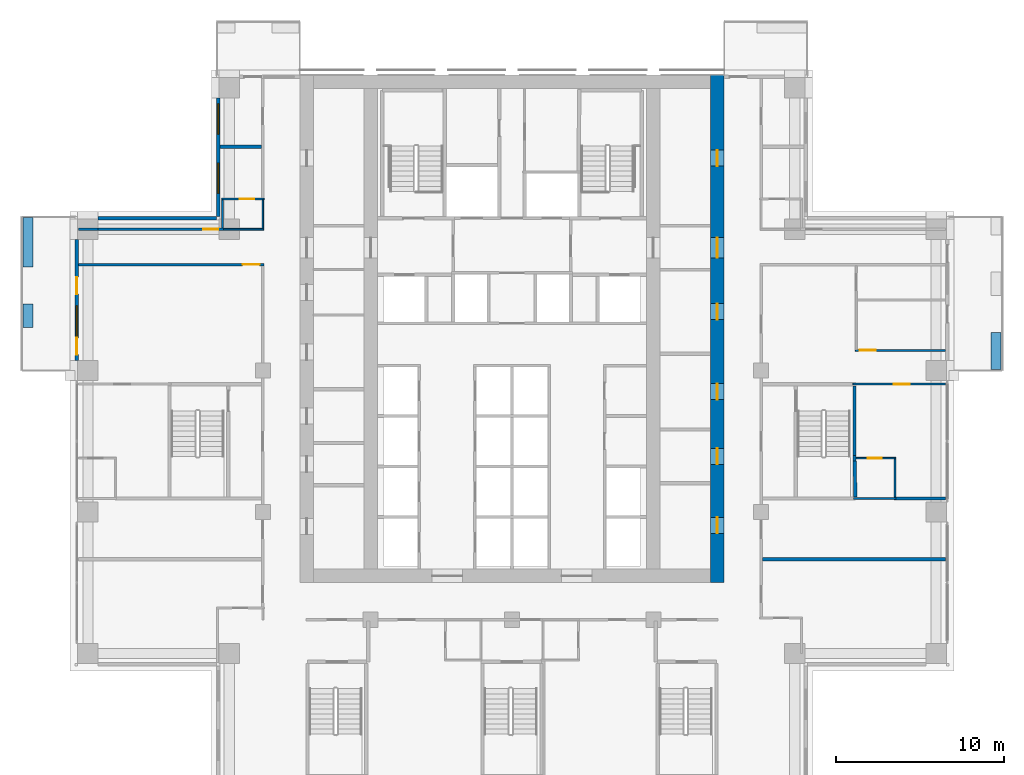
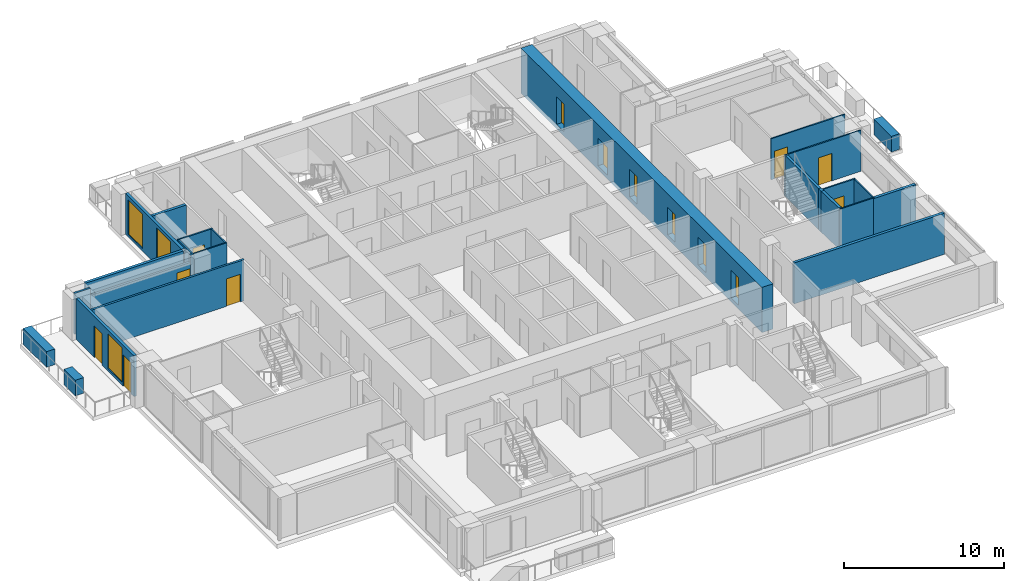
# One storey, part 10 of 17: 26 walls, 14 doors, 3 windows, 17 openings.
"""IFC4 building model written with IfcOpenShell, lengths in metres."""

from ifc_helpers import new_model, si_unit, direction, frame, frame_2d, origin, place, context, subcontext, project, spatial, rectangle, extrude, material, layer, layer_set, type_object, element, fill, save


model = new_model("IFC4")

# Units and contexts
model_context = context("Model", 3, precision=1e-05, world=origin(), true_north=direction((0.0, 1.0)))
body_context = subcontext(model_context, "Body", "Model", "MODEL_VIEW")
ifc_project = project(units=[si_unit("LENGTHUNIT", "METRE"), si_unit("AREAUNIT", "SQUARE_METRE"), si_unit("VOLUMEUNIT", "CUBIC_METRE"), si_unit("PLANEANGLEUNIT", "RADIAN"), si_unit("MASSUNIT", "GRAM", prefix="KILO")], contexts=[model_context])

# Site, building, storey
site_placement = place(None, origin())
site = spatial("IfcSite", under=ifc_project, at=site_placement, CompositionType="ELEMENT")
building_placement = place(site_placement, origin())
building = spatial("IfcBuilding", under=site, at=building_placement, Name="Vermilion Ogive Tower", CompositionType="ELEMENT")
storey_placement = place(building_placement, frame((0.0, 0.0, 87.300048828125)))
storey = spatial("IfcBuildingStorey", under=building, at=storey_placement, Name="L21", CompositionType="ELEMENT", Elevation=87.300048828125)

# Wall, openings, doors
ifc_material_1 = material(Name="Concrete B80", Category="concrete")
ifc_layer_1 = layer(ifc_material_1, 0.800048828125)
ifc_layer_set_1 = layer_set([ifc_layer_1], Name="Core wall 800 B80")
wall_type_1 = type_object("IfcWallType", Name="Core wall 800 B80", PredefinedType="SHEAR", material=ifc_layer_set_1)
wall_1_placement = place(storey_placement, frame((12.199951171875, -8.39990234375, -0.320068359375), z_axis=(0.0, 0.0, 1.0), x_axis=(0.0, 1.0, 0.0)))
wall_1 = element("IfcWall", 1, at=wall_1_placement, inside=storey, type_object=wall_type_1, Name="L21-CORE-E", PredefinedType="SHEAR", context=body_context, shape_type="SweptSolid", body=[
    extrude(rectangle(XDim=30.14990234375, YDim=0.800048828125, at=frame_2d((15.074951171875, 0.0))), origin(), (0.0, 0.0, 1.0), 3.449951171875),
])
opening_1_placement = place(wall_1_placement, frame((2.925048828125, 0.0, 0.320068359375)))
opening_1 = element("IfcOpeningElement", 2, at=opening_1_placement, cuts=wall_1, Name="Opening DAC034", PredefinedType="OPENING", context=body_context, shape_type="SweptSolid", body=[
    extrude(rectangle(XDim=0.949951171875, YDim=2.10009765625, at=frame_2d((0.47509765625, 1.050048828125))), frame((0.0, 0.409912109375, 0.0), z_axis=(0.0, -1.0, 0.0), x_axis=(1.0, 0.0, 0.0)), (0.0, 0.0, 1.0), 0.820068359375),
])
opening_2_placement = place(wall_1_placement, frame((7.02490234375, 0.0, 0.320068359375)))
opening_2 = element("IfcOpeningElement", 3, at=opening_2_placement, cuts=wall_1, Name="Opening DAC035", PredefinedType="OPENING", context=body_context, shape_type="SweptSolid", body=[
    extrude(rectangle(XDim=0.949951171875, YDim=2.10009765625, at=frame_2d((0.47509765625, 1.050048828125))), frame((0.0, 0.409912109375, 0.0), z_axis=(0.0, -1.0, 0.0), x_axis=(1.0, 0.0, 0.0)), (0.0, 0.0, 1.0), 0.820068359375),
])
opening_3_placement = place(wall_1_placement, frame((10.875, 0.0, 0.320068359375)))
opening_3 = element("IfcOpeningElement", 4, at=opening_3_placement, cuts=wall_1, Name="Opening DAC036", PredefinedType="OPENING", context=body_context, shape_type="SweptSolid", body=[
    extrude(rectangle(XDim=0.949951171875, YDim=2.10009765625, at=frame_2d((0.47509765625, 1.050048828125))), frame((0.0, 0.409912109375, 0.0), z_axis=(0.0, -1.0, 0.0), x_axis=(1.0, 0.0, 0.0)), (0.0, 0.0, 1.0), 0.820068359375),
])
opening_4_placement = place(wall_1_placement, frame((15.625, 0.0, 0.320068359375)))
opening_4 = element("IfcOpeningElement", 5, at=opening_4_placement, cuts=wall_1, Name="Opening DAC037", PredefinedType="OPENING", context=body_context, shape_type="SweptSolid", body=[
    extrude(rectangle(XDim=0.949951171875, YDim=2.10009765625, at=frame_2d((0.47509765625, 1.050048828125))), frame((0.0, 0.409912109375, 0.0), z_axis=(0.0, -1.0, 0.0), x_axis=(1.0, 0.0, 0.0)), (0.0, 0.0, 1.0), 0.820068359375),
])
opening_5_placement = place(wall_1_placement, frame((24.75, 0.0, 0.320068359375)))
opening_5 = element("IfcOpeningElement", 6, at=opening_5_placement, cuts=wall_1, Name="Opening DAC038", PredefinedType="OPENING", context=body_context, shape_type="SweptSolid", body=[
    extrude(rectangle(XDim=0.949951171875, YDim=2.10009765625, at=frame_2d((0.47509765625, 1.050048828125))), frame((0.0, 0.409912109375, 0.0), z_axis=(0.0, -1.0, 0.0), x_axis=(1.0, 0.0, 0.0)), (0.0, 0.0, 1.0), 0.820068359375),
])
opening_6_placement = place(wall_1_placement, frame((19.300048828125, 0.0, 0.320068359375)))
opening_6 = element("IfcOpeningElement", 7, at=opening_6_placement, cuts=wall_1, Name="Opening DAL007", PredefinedType="OPENING", context=body_context, shape_type="SweptSolid", body=[
    extrude(rectangle(XDim=1.199951171875, YDim=2.10009765625, at=frame_2d((0.60009765625, 1.050048828125))), frame((0.0, 0.409912109375, 0.0), z_axis=(0.0, -1.0, 0.0), x_axis=(1.0, 0.0, 0.0)), (0.0, 0.0, 1.0), 0.820068359375),
])
ifc_material_2 = material(Name="Timber door leaf", Category="wood")
door_type_1 = type_object("IfcDoorType", Name="Link door 1200 x 2100 FD60S", OperationType="SINGLE_SWING_LEFT", PredefinedType="DOOR", material=ifc_material_2)
door_1_placement = place(opening_6_placement, origin())
door_1 = element("IfcDoor", 8, at=door_1_placement, inside=storey, type_object=door_type_1, Name="L21-CKE-XL", OperationType="SINGLE_SWING_LEFT", OverallHeight=2.10009765625, OverallWidth=1.199951171875, PredefinedType="DOOR", context=body_context, shape_type="SweptSolid", body=[
    extrude(rectangle(XDim=1.199951171875, YDim=2.10009765625, at=frame_2d((0.60009765625, 1.050048828125))), frame((0.0, 0.02490234375, 0.0), z_axis=(0.0, -1.0, 0.0), x_axis=(1.0, 0.0, 0.0)), (0.0, 0.0, 1.0), 0.050048828125),
])
fill(opening_6, door_1)
ifc_material_3 = material(Name="Timber door leaf", Category="wood")
door_type_2 = type_object("IfcDoorType", Name="Service door 950 x 2100 FD60", OperationType="SINGLE_SWING_LEFT", PredefinedType="DOOR", material=ifc_material_3)
door_2_placement = place(opening_1_placement, origin())
door_2 = element("IfcDoor", 9, at=door_2_placement, inside=storey, type_object=door_type_2, Name="L21-CKE-XR0", OperationType="SINGLE_SWING_LEFT", OverallHeight=2.10009765625, OverallWidth=0.949951171875, PredefinedType="DOOR", context=body_context, shape_type="SweptSolid", body=[
    extrude(rectangle(XDim=0.949951171875, YDim=2.10009765625, at=frame_2d((0.47509765625, 1.050048828125))), frame((0.0, 0.02490234375, 0.0), z_axis=(0.0, -1.0, 0.0), x_axis=(1.0, 0.0, 0.0)), (0.0, 0.0, 1.0), 0.050048828125),
])
fill(opening_1, door_2)
door_3_placement = place(opening_2_placement, origin())
door_3 = element("IfcDoor", 10, at=door_3_placement, inside=storey, type_object=door_type_2, Name="L21-CKE-XR1", OperationType="SINGLE_SWING_LEFT", OverallHeight=2.10009765625, OverallWidth=0.949951171875, PredefinedType="DOOR", context=body_context, shape_type="SweptSolid", body=[
    extrude(rectangle(XDim=0.949951171875, YDim=2.10009765625, at=frame_2d((0.47509765625, 1.050048828125))), frame((0.0, 0.02490234375, 0.0), z_axis=(0.0, -1.0, 0.0), x_axis=(1.0, 0.0, 0.0)), (0.0, 0.0, 1.0), 0.050048828125),
])
fill(opening_2, door_3)
door_4_placement = place(opening_3_placement, origin())
door_4 = element("IfcDoor", 11, at=door_4_placement, inside=storey, type_object=door_type_2, Name="L21-CKE-XR2", OperationType="SINGLE_SWING_LEFT", OverallHeight=2.10009765625, OverallWidth=0.949951171875, PredefinedType="DOOR", context=body_context, shape_type="SweptSolid", body=[
    extrude(rectangle(XDim=0.949951171875, YDim=2.10009765625, at=frame_2d((0.47509765625, 1.050048828125))), frame((0.0, 0.02490234375, 0.0), z_axis=(0.0, -1.0, 0.0), x_axis=(1.0, 0.0, 0.0)), (0.0, 0.0, 1.0), 0.050048828125),
])
fill(opening_3, door_4)
door_5_placement = place(opening_4_placement, origin())
door_5 = element("IfcDoor", 12, at=door_5_placement, inside=storey, type_object=door_type_2, Name="L21-CKE-XR3", OperationType="SINGLE_SWING_LEFT", OverallHeight=2.10009765625, OverallWidth=0.949951171875, PredefinedType="DOOR", context=body_context, shape_type="SweptSolid", body=[
    extrude(rectangle(XDim=0.949951171875, YDim=2.10009765625, at=frame_2d((0.47509765625, 1.050048828125))), frame((0.0, 0.02490234375, 0.0), z_axis=(0.0, -1.0, 0.0), x_axis=(1.0, 0.0, 0.0)), (0.0, 0.0, 1.0), 0.050048828125),
])
fill(opening_4, door_5)
door_6_placement = place(opening_5_placement, origin())
door_6 = element("IfcDoor", 13, at=door_6_placement, inside=storey, type_object=door_type_2, Name="L21-CKE-XR4", OperationType="SINGLE_SWING_LEFT", OverallHeight=2.10009765625, OverallWidth=0.949951171875, PredefinedType="DOOR", context=body_context, shape_type="SweptSolid", body=[
    extrude(rectangle(XDim=0.949951171875, YDim=2.10009765625, at=frame_2d((0.47509765625, 1.050048828125))), frame((0.0, 0.02490234375, 0.0), z_axis=(0.0, -1.0, 0.0), x_axis=(1.0, 0.0, 0.0)), (0.0, 0.0, 1.0), 0.050048828125),
])
fill(opening_5, door_6)

# Wall
ifc_material_4 = material(Name="Gypsum board partition on steel studs", Category="steel")
ifc_layer_2 = layer(ifc_material_4, 0.10009765625)
ifc_layer_set_2 = layer_set([ifc_layer_2], Name="Partition 100 bath")
wall_type_2 = type_object("IfcWallType", Name="Partition 100 bath", PredefinedType="PARTITIONING", material=ifc_layer_set_2)
wall_2_placement = place(storey_placement, frame((20.300048828125, -3.39990234375, 0.0), z_axis=(0.0, 0.0, 1.0), x_axis=(1.0, 0.0, 0.0)))
element("IfcWall", 14, at=wall_2_placement, inside=storey, type_object=wall_type_2, Name="L21-W-W019", PredefinedType="PARTITIONING", context=body_context, shape_type="SweptSolid", body=[
    extrude(rectangle(XDim=2.5, YDim=0.10009765625, at=frame_2d((1.25, 0.0))), origin(), (0.0, 0.0, 1.0), 3.1298828125),
])

# Wall, opening, door
wall_3_placement = place(storey_placement, frame((20.449951171875, -1.0, 0.0), z_axis=(0.0, 0.0, 1.0), x_axis=(1.0, 0.0, 0.0)))
wall_3 = element("IfcWall", 15, at=wall_3_placement, inside=storey, type_object=wall_type_2, Name="L21-W-W022", PredefinedType="PARTITIONING", context=body_context, shape_type="SweptSolid", body=[
    extrude(rectangle(XDim=2.35009765625, YDim=0.10009765625, at=frame_2d((1.175048828125, 0.0))), origin(), (0.0, 0.0, 1.0), 3.1298828125),
])
opening_7_placement = place(wall_3_placement, frame((0.675048828125, 0.0, 0.0)))
opening_7 = element("IfcOpeningElement", 16, at=opening_7_placement, cuts=wall_3, Name="Opening D2G1019", PredefinedType="OPENING", context=body_context, shape_type="SweptSolid", body=[
    extrude(rectangle(XDim=0.85009765625, YDim=2.10009765625, at=frame_2d((0.425048828125, 1.050048828125))), frame((0.0, 0.06005859375, 0.0), z_axis=(0.0, -1.0, 0.0), x_axis=(1.0, 0.0, 0.0)), (0.0, 0.0, 1.0), 0.1201171875),
])
ifc_material_5 = material(Name="Timber door leaf", Category="wood")
door_type_3 = type_object("IfcDoorType", Name="Bath door 850 x 2100 FD30", OperationType="SINGLE_SWING_LEFT", PredefinedType="DOOR", material=ifc_material_5)
door_7_placement = place(opening_7_placement, origin())
door_7 = element("IfcDoor", 17, at=door_7_placement, inside=storey, type_object=door_type_3, Name="L21-D-D019", OperationType="SINGLE_SWING_RIGHT", OverallHeight=2.10009765625, OverallWidth=0.85009765625, PredefinedType="DOOR", context=body_context, shape_type="SweptSolid", body=[
    extrude(rectangle(XDim=0.85009765625, YDim=2.10009765625, at=frame_2d((0.425048828125, 1.050048828125))), frame((0.0, 0.02490234375, 0.0), z_axis=(0.0, -1.0, 0.0), x_axis=(1.0, 0.0, 0.0)), (0.0, 0.0, 1.0), 0.050048828125),
])
fill(opening_7, door_7)

# Wall
wall_4_placement = place(storey_placement, frame((-17.25, 12.60009765625, 0.0), z_axis=(0.0, 0.0, 1.0), x_axis=(1.0, 0.0, 0.0)))
element("IfcWall", 18, at=wall_4_placement, inside=storey, type_object=wall_type_2, Name="L21-W-W032", PredefinedType="PARTITIONING", context=body_context, shape_type="SweptSolid", body=[
    extrude(rectangle(XDim=2.5, YDim=0.10009765625, at=frame_2d((1.25, 0.0))), origin(), (0.0, 0.0, 1.0), 3.1298828125),
])

# Wall, opening, door
wall_5_placement = place(storey_placement, frame((-17.25, 14.39990234375, 0.0), z_axis=(0.0, 0.0, 1.0), x_axis=(1.0, 0.0, 0.0)))
wall_5 = element("IfcWall", 19, at=wall_5_placement, inside=storey, type_object=wall_type_2, Name="L21-W-W035", PredefinedType="PARTITIONING", context=body_context, shape_type="SweptSolid", body=[
    extrude(rectangle(XDim=2.52490234375, YDim=0.10009765625, at=frame_2d((1.262451171875, 0.0))), origin(), (0.0, 0.0, 1.0), 3.1298828125),
])
opening_8_placement = place(wall_5_placement, frame((1.074951171875, 0.0, 0.0)))
opening_8 = element("IfcOpeningElement", 20, at=opening_8_placement, cuts=wall_5, Name="Opening D2G1007", PredefinedType="OPENING", context=body_context, shape_type="SweptSolid", body=[
    extrude(rectangle(XDim=0.85009765625, YDim=2.10009765625, at=frame_2d((0.425048828125, 1.050048828125))), frame((0.0, 0.06005859375, 0.0), z_axis=(0.0, -1.0, 0.0), x_axis=(1.0, 0.0, 0.0)), (0.0, 0.0, 1.0), 0.1201171875),
])
door_8_placement = place(opening_8_placement, origin())
door_8 = element("IfcDoor", 21, at=door_8_placement, inside=storey, type_object=door_type_3, Name="L21-D-D007", OperationType="SINGLE_SWING_RIGHT", OverallHeight=2.10009765625, OverallWidth=0.85009765625, PredefinedType="DOOR", context=body_context, shape_type="SweptSolid", body=[
    extrude(rectangle(XDim=0.85009765625, YDim=2.10009765625, at=frame_2d((0.425048828125, 1.050048828125))), frame((0.0, 0.02490234375, 0.0), z_axis=(0.0, -1.0, 0.0), x_axis=(1.0, 0.0, 0.0)), (0.0, 0.0, 1.0), 0.050048828125),
])
fill(opening_8, door_8)

# Walls
wall_6_placement = place(storey_placement, frame((-17.199951171875, 12.675048828125, 0.0), z_axis=(0.0, 0.0, 1.0), x_axis=(0.0, 1.0, 0.0)))
element("IfcWall", 22, at=wall_6_placement, inside=storey, type_object=wall_type_2, Name="L21-W-W042", PredefinedType="PARTITIONING", context=body_context, shape_type="SweptSolid", body=[
    extrude(rectangle(XDim=1.675048828125, YDim=0.10009765625, at=frame_2d((0.83740234375, 0.0))), origin(), (0.0, 0.0, 1.0), 3.1298828125),
])
wall_7_placement = place(storey_placement, frame((-14.800048828125, 12.64990234375, 0.0), z_axis=(0.0, 0.0, 1.0), x_axis=(0.0, 1.0, 0.0)))
element("IfcWall", 23, at=wall_7_placement, inside=storey, type_object=wall_type_2, Name="L21-W-W046", PredefinedType="PARTITIONING", context=body_context, shape_type="SweptSolid", body=[
    extrude(rectangle(XDim=1.7001953125, YDim=0.10009765625, at=frame_2d((0.85009765625, 0.0))), origin(), (0.0, 0.0, 1.0), 3.1298828125),
])
wall_8_placement = place(storey_placement, frame((22.75, -3.300048828125, 0.0), z_axis=(0.0, 0.0, 1.0), x_axis=(0.0, 1.0, 0.0)))
element("IfcWall", 24, at=wall_8_placement, inside=storey, type_object=wall_type_2, Name="L21-W-W066", PredefinedType="PARTITIONING", context=body_context, shape_type="SweptSolid", body=[
    extrude(rectangle(XDim=2.25, YDim=0.10009765625, at=frame_2d((1.125, 0.0))), origin(), (0.0, 0.0, 1.0), 3.1298828125),
])

# Wall, opening, door
ifc_material_6 = material(Name="Gypsum board partition on steel studs", Category="steel")
ifc_layer_3 = layer(ifc_material_6, 0.10009765625)
ifc_layer_set_3 = layer_set([ifc_layer_3], Name="Partition 100 inner")
wall_type_3 = type_object("IfcWallType", Name="Partition 100 inner", PredefinedType="PARTITIONING", material=ifc_layer_set_3)
wall_9_placement = place(storey_placement, frame((20.25, 3.39990234375, 0.0), z_axis=(0.0, 0.0, 1.0), x_axis=(1.0, 0.0, 0.0)))
wall_9 = element("IfcWall", 25, at=wall_9_placement, inside=storey, type_object=wall_type_3, Name="L21-W-W026", PredefinedType="PARTITIONING", context=body_context, shape_type="SweptSolid", body=[
    extrude(rectangle(XDim=5.5, YDim=0.10009765625, at=frame_2d((2.75, 0.0))), origin(), (0.0, 0.0, 1.0), 3.1298828125),
])
opening_9_placement = place(wall_9_placement, frame((2.425048828125, 0.0, 0.0)))
opening_9 = element("IfcOpeningElement", 26, at=opening_9_placement, cuts=wall_9, Name="Opening D2G1018", PredefinedType="OPENING", context=body_context, shape_type="SweptSolid", body=[
    extrude(rectangle(XDim=0.949951171875, YDim=2.10009765625, at=frame_2d((0.47509765625, 1.050048828125))), frame((0.0, 0.06005859375, 0.0), z_axis=(0.0, -1.0, 0.0), x_axis=(1.0, 0.0, 0.0)), (0.0, 0.0, 1.0), 0.1201171875),
])
ifc_material_7 = material(Name="Timber door leaf", Category="wood")
door_type_4 = type_object("IfcDoorType", Name="Inner door 950 x 2100 FD30", OperationType="SINGLE_SWING_LEFT", PredefinedType="DOOR", material=ifc_material_7)
door_9_placement = place(opening_9_placement, origin())
door_9 = element("IfcDoor", 27, at=door_9_placement, inside=storey, type_object=door_type_4, Name="L21-D-D018", OperationType="SINGLE_SWING_LEFT", OverallHeight=2.10009765625, OverallWidth=0.949951171875, PredefinedType="DOOR", context=body_context, shape_type="SweptSolid", body=[
    extrude(rectangle(XDim=0.949951171875, YDim=2.10009765625, at=frame_2d((0.47509765625, 1.050048828125))), frame((0.0, 0.02490234375, 0.0), z_axis=(0.0, -1.0, 0.0), x_axis=(1.0, 0.0, 0.0)), (0.0, 0.0, 1.0), 0.050048828125),
])
fill(opening_9, door_9)

wall_10_placement = place(storey_placement, frame((20.39990234375, 5.39990234375, 0.0), z_axis=(0.0, 0.0, 1.0), x_axis=(1.0, 0.0, 0.0)))
wall_10 = element("IfcWall", 28, at=wall_10_placement, inside=storey, type_object=wall_type_3, Name="L21-W-W027", PredefinedType="PARTITIONING", context=body_context, shape_type="SweptSolid", body=[
    extrude(rectangle(XDim=5.35009765625, YDim=0.10009765625, at=frame_2d((2.675048828125, 0.0))), origin(), (0.0, 0.0, 1.0), 3.1298828125),
])
opening_10_placement = place(wall_10_placement, frame((0.25, 0.0, 0.0)))
opening_10 = element("IfcOpeningElement", 29, at=opening_10_placement, cuts=wall_10, Name="Opening D2G1015", PredefinedType="OPENING", context=body_context, shape_type="SweptSolid", body=[
    extrude(rectangle(XDim=0.949951171875, YDim=2.10009765625, at=frame_2d((0.47509765625, 1.050048828125))), frame((0.0, 0.06005859375, 0.0), z_axis=(0.0, -1.0, 0.0), x_axis=(1.0, 0.0, 0.0)), (0.0, 0.0, 1.0), 0.1201171875),
])
door_10_placement = place(opening_10_placement, origin())
door_10 = element("IfcDoor", 30, at=door_10_placement, inside=storey, type_object=door_type_4, Name="L21-D-D015", OperationType="SINGLE_SWING_LEFT", OverallHeight=2.10009765625, OverallWidth=0.949951171875, PredefinedType="DOOR", context=body_context, shape_type="SweptSolid", body=[
    extrude(rectangle(XDim=0.949951171875, YDim=2.10009765625, at=frame_2d((0.47509765625, 1.050048828125))), frame((0.0, 0.02490234375, 0.0), z_axis=(0.0, -1.0, 0.0), x_axis=(1.0, 0.0, 0.0)), (0.0, 0.0, 1.0), 0.050048828125),
])
fill(opening_10, door_10)

ifc_material_8 = material(Name="Gypsum board partition on steel studs", Category="steel")
ifc_layer_4 = layer(ifc_material_8, 0.14990234375)
ifc_layer_set_4 = layer_set([ifc_layer_4], Name="Partition 150 corridor")
wall_type_4 = type_object("IfcWallType", Name="Partition 150 corridor", PredefinedType="PARTITIONING", material=ifc_layer_set_4)
wall_11_placement = place(storey_placement, frame((-25.75, 10.5, 0.0), z_axis=(0.0, 0.0, 1.0), x_axis=(1.0, 0.0, 0.0)))
wall_11 = element("IfcWall", 31, at=wall_11_placement, inside=storey, type_object=wall_type_4, Name="L21-W-W029", PredefinedType="PARTITIONING", context=body_context, shape_type="SweptSolid", body=[
    extrude(rectangle(XDim=11.02490234375, YDim=0.14990234375, at=frame_2d((5.512451171875, 0.0))), origin(), (0.0, 0.0, 1.0), 3.1298828125),
])
opening_11_placement = place(wall_11_placement, frame((9.75, 0.0, 0.0)))
opening_11 = element("IfcOpeningElement", 32, at=opening_11_placement, cuts=wall_11, Name="Opening D2G1003", PredefinedType="OPENING", context=body_context, shape_type="SweptSolid", body=[
    extrude(rectangle(XDim=1.0, YDim=2.10009765625, at=frame_2d((0.5, 1.050048828125))), frame((0.0, 0.0849609375, 0.0), z_axis=(0.0, -1.0, 0.0), x_axis=(1.0, 0.0, 0.0)), (0.0, 0.0, 1.0), 0.169921875),
])
ifc_material_9 = material(Name="Timber door leaf", Category="wood")
door_type_5 = type_object("IfcDoorType", Name="Unit door 1000 x 2100 FD30S", OperationType="SINGLE_SWING_LEFT", PredefinedType="DOOR", material=ifc_material_9)
door_11_placement = place(opening_11_placement, origin())
door_11 = element("IfcDoor", 33, at=door_11_placement, inside=storey, type_object=door_type_5, Name="L21-D-D003", OperationType="SINGLE_SWING_RIGHT", OverallHeight=2.10009765625, OverallWidth=1.0, PredefinedType="DOOR", context=body_context, shape_type="SweptSolid", body=[
    extrude(rectangle(XDim=1.0, YDim=2.10009765625, at=frame_2d((0.5, 1.050048828125))), frame((0.0, 0.02490234375, 0.0), z_axis=(0.0, -1.0, 0.0), x_axis=(1.0, 0.0, 0.0)), (0.0, 0.0, 1.0), 0.050048828125),
])
fill(opening_11, door_11)

# Wall
wall_12_placement = place(storey_placement, frame((-25.75, 12.60009765625, 0.0), z_axis=(0.0, 0.0, 1.0), x_axis=(1.0, 0.0, 0.0)))
element("IfcWall", 34, at=wall_12_placement, inside=storey, type_object=wall_type_4, Name="L21-W-W031", PredefinedType="PARTITIONING", context=body_context, shape_type="SweptSolid", body=[
    extrude(rectangle(XDim=1.14990234375, YDim=0.14990234375, at=frame_2d((0.574951171875, 0.0))), origin(), (0.0, 0.0, 1.0), 3.1298828125),
])

# Wall, opening, door
wall_13_placement = place(storey_placement, frame((-24.60009765625, 12.60009765625, 0.0), z_axis=(0.0, 0.0, 1.0), x_axis=(1.0, 0.0, 0.0)))
wall_13 = element("IfcWall", 35, at=wall_13_placement, inside=storey, type_object=wall_type_4, Name="L21-W-W031-h1", PredefinedType="PARTITIONING", context=body_context, shape_type="SweptSolid", body=[
    extrude(rectangle(XDim=7.2001953125, YDim=0.14990234375, at=frame_2d((3.60009765625, 0.0))), origin(), (0.0, 0.0, 1.0), 2.579833984375),
])
opening_12_placement = place(wall_13_placement, frame((6.25, 0.0, 0.0)))
opening_12 = element("IfcOpeningElement", 36, at=opening_12_placement, cuts=wall_13, Name="Opening D2G1006", PredefinedType="OPENING", context=body_context, shape_type="SweptSolid", body=[
    extrude(rectangle(XDim=0.949951171875, YDim=2.10009765625, at=frame_2d((0.47509765625, 1.050048828125))), frame((0.0, 0.0849609375, 0.0), z_axis=(0.0, -1.0, 0.0), x_axis=(1.0, 0.0, 0.0)), (0.0, 0.0, 1.0), 0.169921875),
])
ifc_material_10 = material(Name="Timber door leaf", Category="wood")
door_type_6 = type_object("IfcDoorType", Name="Unit door 950 x 2100 FD30S", OperationType="SINGLE_SWING_LEFT", PredefinedType="DOOR", material=ifc_material_10)
door_12_placement = place(opening_12_placement, origin())
door_12 = element("IfcDoor", 37, at=door_12_placement, inside=storey, type_object=door_type_6, Name="L21-D-D006", OperationType="SINGLE_SWING_LEFT", OverallHeight=2.10009765625, OverallWidth=0.949951171875, PredefinedType="DOOR", context=body_context, shape_type="SweptSolid", body=[
    extrude(rectangle(XDim=0.949951171875, YDim=2.10009765625, at=frame_2d((0.47509765625, 1.050048828125))), frame((0.0, 0.02490234375, 0.0), z_axis=(0.0, -1.0, 0.0), x_axis=(1.0, 0.0, 0.0)), (0.0, 0.0, 1.0), 0.050048828125),
])
fill(opening_12, door_12)

# Walls
wall_14_placement = place(storey_placement, frame((-17.39990234375, 12.60009765625, 0.0), z_axis=(0.0, 0.0, 1.0), x_axis=(1.0, 0.0, 0.0)))
element("IfcWall", 38, at=wall_14_placement, inside=storey, type_object=wall_type_4, Name="L21-W-W031-h2", PredefinedType="PARTITIONING", context=body_context, shape_type="SweptSolid", body=[
    extrude(rectangle(XDim=0.25, YDim=0.14990234375, at=frame_2d((0.125, 0.0))), origin(), (0.0, 0.0, 1.0), 3.1298828125),
])
ifc_material_11 = material(Name="Gypsum board partition on steel studs", Category="steel")
ifc_layer_5 = layer(ifc_material_11, 0.199951171875)
ifc_layer_set_5 = layer_set([ifc_layer_5], Name="Partition 200 party")
wall_type_5 = type_object("IfcWallType", Name="Partition 200 party", PredefinedType="PARTITIONING", material=ifc_layer_set_5)
wall_15_placement = place(storey_placement, frame((14.875, -7.0, 0.0), z_axis=(0.0, 0.0, 1.0), x_axis=(1.0, 0.0, 0.0)))
element("IfcWall", 39, at=wall_15_placement, inside=storey, type_object=wall_type_5, Name="L21-W-W015", PredefinedType="PARTITIONING", context=body_context, shape_type="SweptSolid", body=[
    extrude(rectangle(XDim=10.875, YDim=0.199951171875, at=frame_2d((5.4375, 0.0))), origin(), (0.0, 0.0, 1.0), 3.1298828125),
])
wall_16_placement = place(storey_placement, frame((22.699951171875, -3.39990234375, 0.0), z_axis=(0.0, 0.0, 1.0), x_axis=(1.0, 0.0, 0.0)))
element("IfcWall", 40, at=wall_16_placement, inside=storey, type_object=wall_type_5, Name="L21-W-W020", PredefinedType="PARTITIONING", context=body_context, shape_type="SweptSolid", body=[
    extrude(rectangle(XDim=3.050048828125, YDim=0.199951171875, at=frame_2d((1.52490234375, 0.0))), origin(), (0.0, 0.0, 1.0), 3.1298828125),
])
wall_17_placement = place(storey_placement, frame((-17.35009765625, 17.5, 0.0), z_axis=(0.0, 0.0, 1.0), x_axis=(1.0, 0.0, 0.0)))
element("IfcWall", 41, at=wall_17_placement, inside=storey, type_object=wall_type_5, Name="L21-W-W037", PredefinedType="PARTITIONING", context=body_context, shape_type="SweptSolid", body=[
    extrude(rectangle(XDim=2.47509765625, YDim=0.199951171875, at=frame_2d((1.237548828125, 0.0))), origin(), (0.0, 0.0, 1.0), 3.1298828125),
])
ifc_material_12 = material(Name="Concrete B60", Category="concrete")
ifc_layer_6 = layer(ifc_material_12, 0.199951171875)
ifc_layer_set_6 = layer_set([ifc_layer_6], Name="Stair shaft wall 200 Concrete B60")
wall_type_6 = type_object("IfcWallType", Name="Stair shaft wall 200 Concrete B60", PredefinedType="SOLIDWALL", material=ifc_layer_set_6)
wall_18_placement = place(storey_placement, frame((20.400146484375, -3.300048828125, 0.0), z_axis=(0.0, 0.0, 1.0), x_axis=(-0.021771342749, 0.999762976227, 0.0)))
element("IfcWall", 42, at=wall_18_placement, inside=storey, type_object=wall_type_6, Name="L21-W-W063", PredefinedType="SOLIDWALL", context=body_context, shape_type="SweptSolid", body=[
    extrude(rectangle(XDim=2.130615234375, YDim=0.199951171875, at=frame_2d((1.0654296875, 0.0))), origin(), (0.0, 0.0, 1.0), 3.1298828125),
])
wall_19_placement = place(storey_placement, frame((20.35009765625, -0.830078125, 0.0), z_axis=(0.0, 0.0, 1.0), x_axis=(0.0, 1.0, 0.0)))
element("IfcWall", 43, at=wall_19_placement, inside=storey, type_object=wall_type_6, Name="L21-W-W064", PredefinedType="SOLIDWALL", context=body_context, shape_type="SweptSolid", body=[
    extrude(rectangle(XDim=4.130126953125, YDim=0.199951171875, at=frame_2d((2.06494140625, 0.0))), origin(), (0.0, 0.0, 1.0), 3.1298828125),
])
wall_20_placement = place(storey_placement, frame((20.35009765625, -1.169921875, 0.0), z_axis=(0.0, 0.0, 1.0), x_axis=(0.0, 1.0, 0.0)))
element("IfcWall", 44, at=wall_20_placement, inside=storey, type_object=wall_type_6, Name="L21-SW-ST8-E1", PredefinedType="SOLIDWALL", context=body_context, shape_type="SweptSolid", body=[
    extrude(rectangle(XDim=0.33984375, YDim=0.199951171875, at=frame_2d((0.169921875, 0.0))), origin(), (0.0, 0.0, 1.0), 3.1298828125),
])
ifc_material_13 = material(Name="Concrete B40", Category="concrete")
ifc_layer_7 = layer(ifc_material_13, 0.60009765625)
ifc_layer_set_7 = layer_set([ifc_layer_7], Name="Structural planter")
wall_type_7 = type_object("IfcWallType", Name="Structural planter", PredefinedType="USERDEFINED", material=ifc_layer_set_7)
wall_21_placement = place(storey_placement, frame((28.75, 4.260009765625, -0.0400390625), z_axis=(0.0, 0.0, 1.0), x_axis=(0.0, 1.0, 0.0)))
element("IfcWall", 45, at=wall_21_placement, inside=storey, type_object=wall_type_7, Name="Planter E03A1", ObjectType="PLANTER", PredefinedType="USERDEFINED", context=body_context, shape_type="SweptSolid", body=[
    extrude(rectangle(XDim=2.18994140625, YDim=0.60009765625, at=frame_2d((1.094970703125, 0.0))), origin(), (0.0, 0.0, 1.0), 1.199951171875),
])
wall_22_placement = place(storey_placement, frame((-28.75, 13.2900390625, -0.0400390625), z_axis=(0.0, 0.0, 1.0), x_axis=(0.0, -1.0, 0.0)))
element("IfcWall", 46, at=wall_22_placement, inside=storey, type_object=wall_type_7, Name="Planter W01A1", ObjectType="PLANTER", PredefinedType="USERDEFINED", context=body_context, shape_type="SweptSolid", body=[
    extrude(rectangle(XDim=2.93994140625, YDim=0.60009765625, at=frame_2d((1.469970703125, 0.0))), origin(), (0.0, 0.0, 1.0), 1.199951171875),
])
wall_23_placement = place(storey_placement, frame((-28.75, 8.14990234375, -0.0400390625), z_axis=(0.0, 0.0, 1.0), x_axis=(0.0, -1.0, 0.0)))
element("IfcWall", 47, at=wall_23_placement, inside=storey, type_object=wall_type_7, Name="Planter W01A2", ObjectType="PLANTER", PredefinedType="USERDEFINED", context=body_context, shape_type="SweptSolid", body=[
    extrude(rectangle(XDim=1.39990234375, YDim=0.60009765625, at=frame_2d((0.699951171875, 0.0))), origin(), (0.0, 0.0, 1.0), 1.199951171875),
])

# Wall, openings, windows
ifc_material_14 = material(Name="Aluminium window wall framing", Category="aluminium")
ifc_layer_8 = layer(ifc_material_14, 0.199951171875)
ifc_layer_set_8 = layer_set([ifc_layer_8], Name="Window wall")
wall_type_8 = type_object("IfcWallType", Name="Window wall", PredefinedType="STANDARD", material=ifc_layer_set_8)
wall_24_placement = place(storey_placement, frame((-17.449951171875, 20.39990234375, 0.0), z_axis=(0.0, 0.0, 1.0), x_axis=(0.0, -1.0, 0.0)))
wall_24 = element("IfcWall", 48, at=wall_24_placement, inside=storey, type_object=wall_type_8, Name="Window wall X51", PredefinedType="STANDARD", context=body_context, shape_type="SweptSolid", body=[
    extrude(rectangle(XDim=7.0498046875, YDim=0.199951171875, at=frame_2d((3.52490234375, 0.0))), origin(), (0.0, 0.0, 1.0), 3.1298828125),
])
opening_13_placement = place(wall_24_placement, frame((3.875, 0.0, 0.199951171875)))
opening_13 = element("IfcOpeningElement", 49, at=opening_13_placement, cuts=wall_24, Name="Opening W1-X503", PredefinedType="OPENING", context=body_context, shape_type="SweptSolid", body=[
    extrude(rectangle(XDim=1.800048828125, YDim=2.64990234375, at=frame_2d((0.89990234375, 1.324951171875))), frame((0.0, 0.10986328125, 0.0), z_axis=(0.0, -1.0, 0.0), x_axis=(1.0, 0.0, 0.0)), (0.0, 0.0, 1.0), 0.219970703125),
])
opening_14_placement = place(wall_24_placement, frame((0.35009765625, 0.0, 0.199951171875)))
opening_14 = element("IfcOpeningElement", 50, at=opening_14_placement, cuts=wall_24, Name="Opening W1-X504", PredefinedType="OPENING", context=body_context, shape_type="SweptSolid", body=[
    extrude(rectangle(XDim=1.800048828125, YDim=2.64990234375, at=frame_2d((0.89990234375, 1.324951171875))), frame((0.0, 0.10986328125, 0.0), z_axis=(0.0, -1.0, 0.0), x_axis=(1.0, 0.0, 0.0)), (0.0, 0.0, 1.0), 0.219970703125),
])
ifc_material_15 = material(Name="Aluminium framed double glazing", Category="aluminium")
window_type = type_object("IfcWindowType", Name="Guest window W1", PartitioningType="SINGLE_PANEL", PredefinedType="WINDOW", material=ifc_material_15)
window_1_placement = place(opening_13_placement, origin())
window_1 = element("IfcWindow", 51, at=window_1_placement, inside=storey, type_object=window_type, Name="Window X503", OverallHeight=2.64990234375, OverallWidth=1.800048828125, PartitioningType="SINGLE_PANEL", PredefinedType="WINDOW", context=body_context, shape_type="SweptSolid", body=[
    extrude(rectangle(XDim=1.800048828125, YDim=2.64990234375, at=frame_2d((0.89990234375, 1.324951171875))), frame((0.0, 0.030029296875, 0.0), z_axis=(0.0, -1.0, 0.0), x_axis=(1.0, 0.0, 0.0)), (0.0, 0.0, 1.0), 0.06005859375),
])
fill(opening_13, window_1)
window_2_placement = place(opening_14_placement, origin())
window_2 = element("IfcWindow", 52, at=window_2_placement, inside=storey, type_object=window_type, Name="Window X504", OverallHeight=2.64990234375, OverallWidth=1.800048828125, PartitioningType="SINGLE_PANEL", PredefinedType="WINDOW", context=body_context, shape_type="SweptSolid", body=[
    extrude(rectangle(XDim=1.800048828125, YDim=2.64990234375, at=frame_2d((0.89990234375, 1.324951171875))), frame((0.0, 0.030029296875, 0.0), z_axis=(0.0, -1.0, 0.0), x_axis=(1.0, 0.0, 0.0)), (0.0, 0.0, 1.0), 0.06005859375),
])
fill(opening_14, window_2)

# Wall
wall_25_placement = place(storey_placement, frame((-17.550048828125, 13.25, 0.0), z_axis=(0.0, 0.0, 1.0), x_axis=(-1.0, 0.0, 0.0)))
element("IfcWall", 53, at=wall_25_placement, inside=storey, type_object=wall_type_8, Name="Window wall X61", PredefinedType="STANDARD", context=body_context, shape_type="SweptSolid", body=[
    extrude(rectangle(XDim=7.050048828125, YDim=0.199951171875, at=frame_2d((3.52490234375, 0.0))), origin(), (0.0, 0.0, 1.0), 3.1298828125),
])

# Wall, openings, doors, window
wall_26_placement = place(storey_placement, frame((-25.85009765625, 12.0, 0.0), z_axis=(0.0, 0.0, 1.0), x_axis=(0.0, -1.0, 0.0)))
wall_26 = element("IfcWall", 54, at=wall_26_placement, inside=storey, type_object=wall_type_8, Name="Window wall W1", PredefinedType="STANDARD", context=body_context, shape_type="SweptSolid", body=[
    extrude(rectangle(XDim=7.199951171875, YDim=0.199951171875, at=frame_2d((3.60009765625, 0.0))), origin(), (0.0, 0.0, 1.0), 3.1298828125),
])
opening_15_placement = place(wall_26_placement, frame((3.949951171875, 0.0, 0.199951171875)))
opening_15 = element("IfcOpeningElement", 55, at=opening_15_placement, cuts=wall_26, Name="Opening W1-W01", PredefinedType="OPENING", context=body_context, shape_type="SweptSolid", body=[
    extrude(rectangle(XDim=1.800048828125, YDim=2.64990234375, at=frame_2d((0.89990234375, 1.324951171875))), frame((0.0, 0.10986328125, 0.0), z_axis=(0.0, -1.0, 0.0), x_axis=(1.0, 0.0, 0.0)), (0.0, 0.0, 1.0), 0.219970703125),
])
opening_16_placement = place(wall_26_placement, frame((5.85009765625, 0.0, 0.0)))
opening_16 = element("IfcOpeningElement", 56, at=opening_16_placement, cuts=wall_26, Name="Opening D1-W01", PredefinedType="OPENING", context=body_context, shape_type="SweptSolid", body=[
    extrude(rectangle(XDim=1.0, YDim=2.39990234375, at=frame_2d((0.5, 1.199951171875))), frame((0.0, 0.10986328125, 0.0), z_axis=(0.0, -1.0, 0.0), x_axis=(1.0, 0.0, 0.0)), (0.0, 0.0, 1.0), 0.219970703125),
])
opening_17_placement = place(wall_26_placement, frame((2.25, 0.0, 0.0)))
opening_17 = element("IfcOpeningElement", 57, at=opening_17_placement, cuts=wall_26, Name="Opening D1-W02", PredefinedType="OPENING", context=body_context, shape_type="SweptSolid", body=[
    extrude(rectangle(XDim=1.0, YDim=2.39990234375, at=frame_2d((0.5, 1.199951171875))), frame((0.0, 0.10986328125, 0.0), z_axis=(0.0, -1.0, 0.0), x_axis=(1.0, 0.0, 0.0)), (0.0, 0.0, 1.0), 0.219970703125),
])
ifc_material_16 = material(Name="Aluminium framed glazed door", Category="aluminium")
door_type_7 = type_object("IfcDoorType", Name="Balcony door D1", OperationType="SINGLE_SWING_LEFT", PredefinedType="DOOR", material=ifc_material_16)
door_13_placement = place(opening_16_placement, origin())
door_13 = element("IfcDoor", 58, at=door_13_placement, inside=storey, type_object=door_type_7, Name="Balcony door W01", OperationType="SINGLE_SWING_LEFT", OverallHeight=2.39990234375, OverallWidth=1.0, PredefinedType="DOOR", context=body_context, shape_type="SweptSolid", body=[
    extrude(rectangle(XDim=1.0, YDim=2.39990234375, at=frame_2d((0.5, 1.199951171875))), frame((0.0, 0.02490234375, 0.0), z_axis=(0.0, -1.0, 0.0), x_axis=(1.0, 0.0, 0.0)), (0.0, 0.0, 1.0), 0.050048828125),
])
fill(opening_16, door_13)
door_14_placement = place(opening_17_placement, origin())
door_14 = element("IfcDoor", 59, at=door_14_placement, inside=storey, type_object=door_type_7, Name="Balcony door W02", OperationType="SINGLE_SWING_LEFT", OverallHeight=2.39990234375, OverallWidth=1.0, PredefinedType="DOOR", context=body_context, shape_type="SweptSolid", body=[
    extrude(rectangle(XDim=1.0, YDim=2.39990234375, at=frame_2d((0.5, 1.199951171875))), frame((0.0, 0.02490234375, 0.0), z_axis=(0.0, -1.0, 0.0), x_axis=(1.0, 0.0, 0.0)), (0.0, 0.0, 1.0), 0.050048828125),
])
fill(opening_17, door_14)
window_3_placement = place(opening_15_placement, origin())
window_3 = element("IfcWindow", 60, at=window_3_placement, inside=storey, type_object=window_type, Name="Window W01", OverallHeight=2.64990234375, OverallWidth=1.800048828125, PartitioningType="SINGLE_PANEL", PredefinedType="WINDOW", context=body_context, shape_type="SweptSolid", body=[
    extrude(rectangle(XDim=1.800048828125, YDim=2.64990234375, at=frame_2d((0.89990234375, 1.324951171875))), frame((0.0, 0.030029296875, 0.0), z_axis=(0.0, -1.0, 0.0), x_axis=(1.0, 0.0, 0.0)), (0.0, 0.0, 1.0), 0.06005859375),
])
fill(opening_15, window_3)

save(model, "model.ifc")
